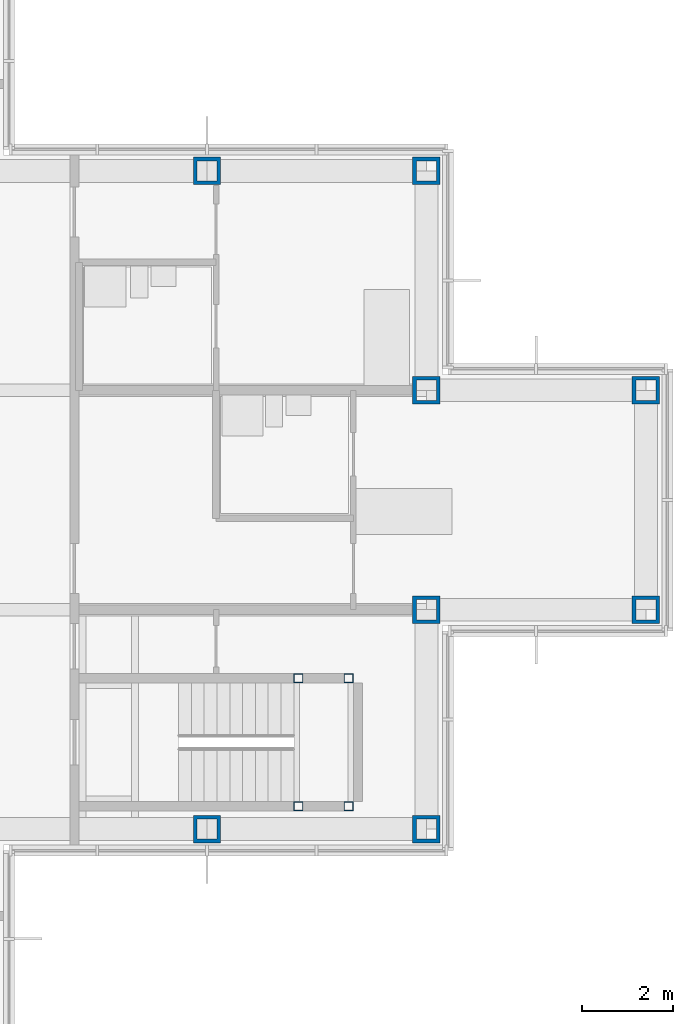
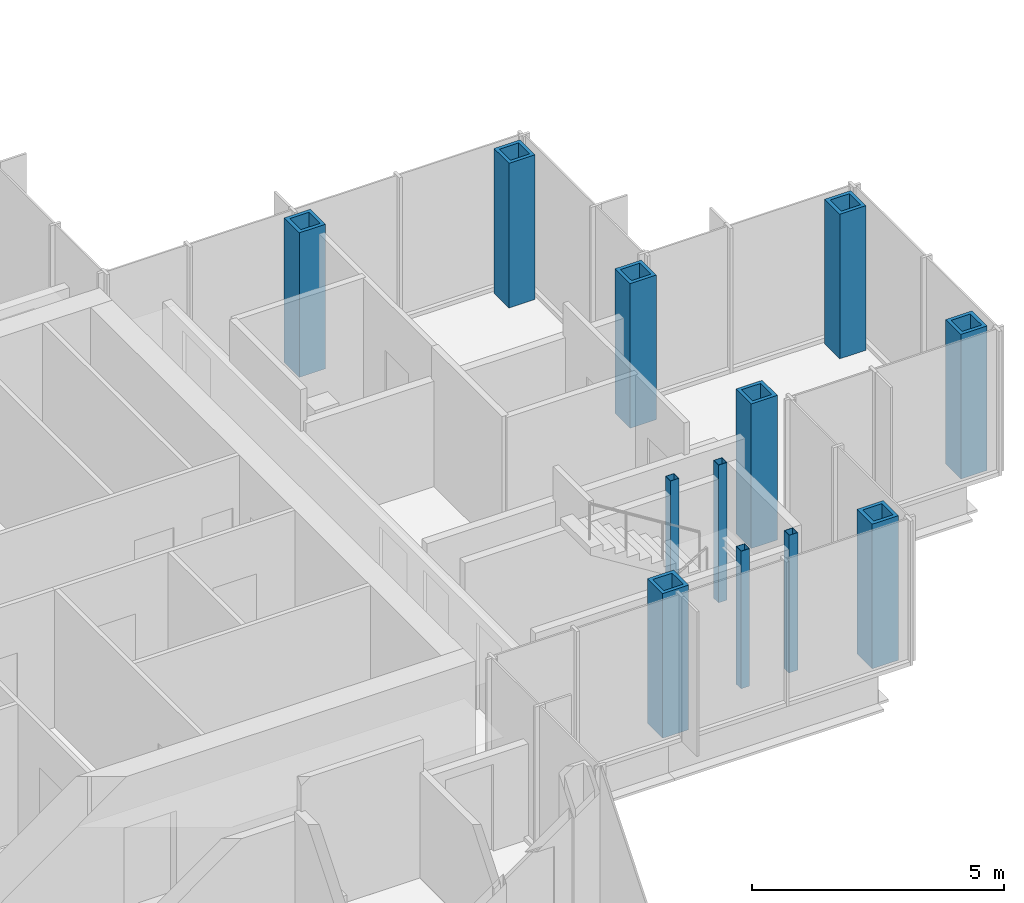
# One storey, part 4 of 17: 12 columns.
"""IFC4 building model written with IfcOpenShell, lengths in metres."""

from ifc_helpers import new_model, si_unit, direction, frame, origin, origin_2d, place, context, subcontext, project, spatial, hollow_rectangle, extrude, material, material_profile, profile_set, type_object, element, save


model = new_model("IFC4")

# Units and contexts
model_context = context("Model", 3, precision=1e-05, world=origin(), true_north=direction((0.0, 1.0)))
body_context = subcontext(model_context, "Body", "Model", "MODEL_VIEW")
ifc_project = project(units=[si_unit("LENGTHUNIT", "METRE"), si_unit("AREAUNIT", "SQUARE_METRE"), si_unit("VOLUMEUNIT", "CUBIC_METRE"), si_unit("PLANEANGLEUNIT", "RADIAN"), si_unit("MASSUNIT", "GRAM", prefix="KILO")], contexts=[model_context])

# Site, building, storey
site_placement = place(None, origin())
site = spatial("IfcSite", under=ifc_project, at=site_placement, CompositionType="ELEMENT")
building_placement = place(site_placement, origin())
building = spatial("IfcBuilding", under=site, at=building_placement, Name="Kvirike Care Tower", CompositionType="ELEMENT")
storey_placement = place(building_placement, frame((0.0, 0.0, 179.5)))
storey = spatial("IfcBuildingStorey", under=building, at=storey_placement, Name="L49", CompositionType="ELEMENT", Elevation=179.5)

# Columns
ifc_material_1 = material(Name="Steel S460", Category="steel")
ifc_material_profile_1 = material_profile(ifc_material_1, hollow_rectangle(XDim=0.60009765625, YDim=0.60009765625, WallThickness=0.080078125, at=origin_2d()), Name="BX 600x600x80")
ifc_profile_set_1 = profile_set([ifc_material_profile_1], Name="Steel S460")
column_type_1 = type_object("IfcColumnType", Name="COLUMN BX 600x600x80", PredefinedType="COLUMN", material=ifc_profile_set_1)
for number, where, z_axis, x_axis, name in (
    (1, (33.60009765625, 28.800048828125, 0.0), (0.0, 0.0, 1.0), (0.0, 1.0, 0.0), "Column G10 L49"),
    (2, (33.60009765625, 43.199951171875, 0.0), (0.0, 0.0, 1.0), (0.0, 1.0, 0.0), "Column K10 L49"),
    (3, (38.39990234375, 28.800048828125, 0.0), (0.0, 0.0, 1.0), (0.0, 1.0, 0.0), "Column G11 L49"),
    (4, (38.39990234375, 33.60009765625, 0.0), (0.0, 0.0, 1.0), (0.0, 1.0, 0.0), "Column H11 L49"),
    (5, (38.39990234375, 38.39990234375, 0.0), (0.0, 0.0, 1.0), (0.0, 1.0, 0.0), "Column J11 L49"),
    (6, (38.39990234375, 43.199951171875, 0.0), (0.0, 0.0, 1.0), (0.0, 1.0, 0.0), "Column K11 L49"),
    (7, (43.199951171875, 33.60009765625, 0.0), (0.0, 0.0, 1.0), (0.0, 1.0, 0.0), "Column H12 L49"),
    (8, (43.199951171875, 38.39990234375, 0.0), (0.0, 0.0, 1.0), (0.0, 1.0, 0.0), "Column J12 L49"),
):
    element("IfcColumn", number, at=place(storey_placement, frame(where, z_axis=z_axis, x_axis=x_axis)), inside=storey, type_object=column_type_1, Name=name, PredefinedType="COLUMN", context=body_context, shape_type="SweptSolid", body=[
        extrude(hollow_rectangle(XDim=0.60009765625, YDim=0.60009765625, WallThickness=0.080078125, at=origin_2d()), origin(), (0.0, 0.0, 1.0), 3.5),
    ])
ifc_material_2 = material(Name="Steel S460", Category="steel")
ifc_material_profile_2 = material_profile(ifc_material_2, hollow_rectangle(XDim=0.199951171875, YDim=0.199951171875, WallThickness=0.008056640625, at=origin_2d()), Name="SHS 200x200x8")
ifc_profile_set_2 = profile_set([ifc_material_profile_2], Name="Steel S460")
column_type_2 = type_object("IfcColumnType", Name="STAIR POST SHS 200x200x8", PredefinedType="COLUMN", material=ifc_profile_set_2)
for number, where, z_axis, x_axis, name in (
    (9, (36.699951171875, 29.300048828125, 0.0), (0.0, 0.0, 1.0), (1.0, 0.0, 0.0), "Stair 2 post 1 L49"),
    (10, (36.699951171875, 32.10009765625, 0.0), (0.0, 0.0, 1.0), (1.0, 0.0, 0.0), "Stair 2 post 2 L49"),
    (11, (35.60009765625, 29.300048828125, 0.0), (0.0, 0.0, 1.0), (1.0, 0.0, 0.0), "Stair 2 post 3 L49"),
    (12, (35.60009765625, 32.10009765625, 0.0), (0.0, 0.0, 1.0), (1.0, 0.0, 0.0), "Stair 2 post 4 L49"),
):
    element("IfcColumn", number, at=place(storey_placement, frame(where, z_axis=z_axis, x_axis=x_axis)), inside=storey, type_object=column_type_2, Name=name, PredefinedType="COLUMN", context=body_context, shape_type="SweptSolid", body=[
        extrude(hollow_rectangle(XDim=0.199951171875, YDim=0.199951171875, WallThickness=0.008056640625, at=origin_2d()), origin(), (0.0, 0.0, 1.0), 3.330078125),
    ])

save(model, "model.ifc")
